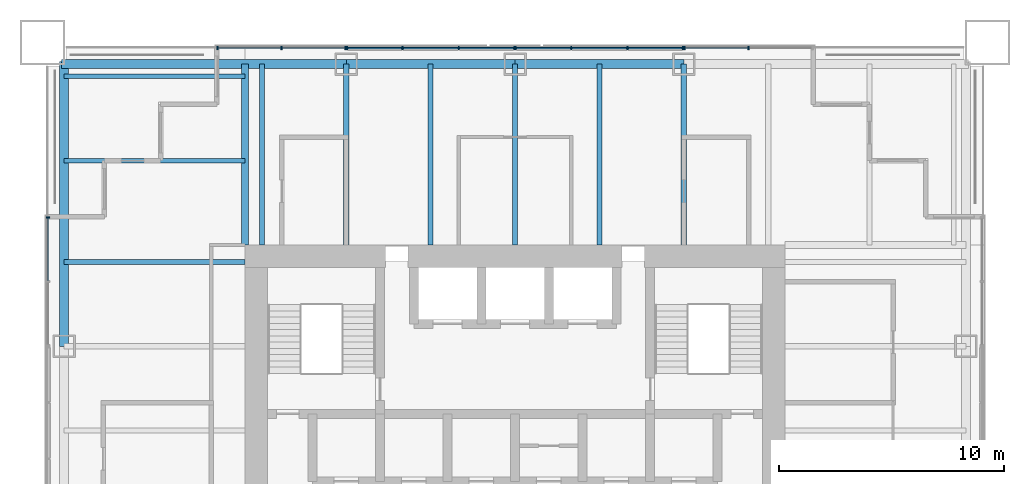
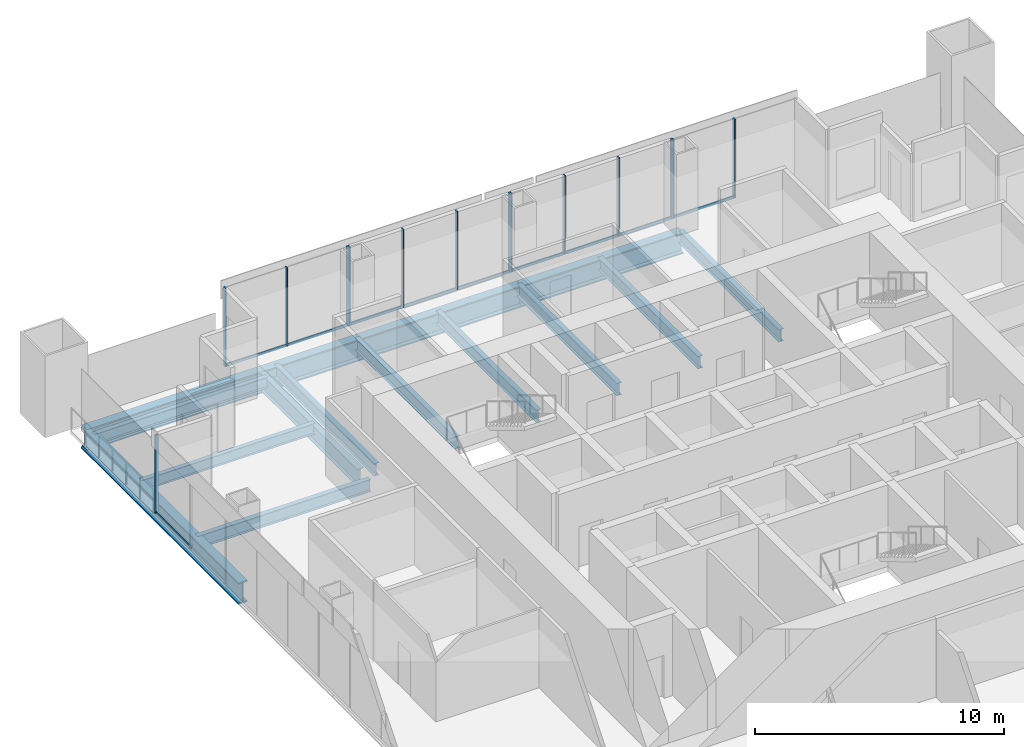
# One storey, part 6 of 14: 24 members, 14 beams, 5 elements without a shape of their own.
"""IFC4 building model written with IfcOpenShell, lengths in metres."""

import ifcopenshell
import ifcopenshell.guid

model = None  # the IFC model being written
_history = None  # IfcOwnerHistory: only IFC2X3 demands one
_inside = {}  # id of a spatial element -> (the spatial element, [elements in it])
_under = {}  # id of a project, library or spatial element -> (it, [spatial elements below it])
_declared = {}  # id of a project -> (the project, [libraries it declares])
_typed = {}  # id of a type object -> (the type object, [elements of that type])
_made_of = {}  # id of a material, layer set ... -> (it, [elements and type objects made of it])


def new_model(schema):
    """Start an empty IFC model of exactly this schema.

    Asked for "IFC4X3", IfcOpenShell would pick the latest addendum, in which some entities
    have other attributes; the version numbers below select the first issue.
    IFC2X3 requires an IfcOwnerHistory on every rooted entity: one is made here for all.
    """
    global model, _history
    if schema == "IFC4X3":
        model = ifcopenshell.file(schema_version=(4, 3, 0, 0))
    else:
        model = ifcopenshell.file(schema=schema)
    _inside.clear()
    _under.clear()
    _declared.clear()
    _typed.clear()
    _made_of.clear()
    _history = None
    if model.schema == "IFC2X3":
        org = make("IfcOrganization", Name="unknown")
        user = make(
            "IfcPersonAndOrganization",
            ThePerson=make("IfcPerson", FamilyName="unknown"),
            TheOrganization=org,
        )
        app = make(
            "IfcApplication",
            ApplicationDeveloper=org,
            Version="unknown",
            ApplicationFullName="unknown",
            ApplicationIdentifier="unknown",
        )
        _history = make(
            "IfcOwnerHistory",
            OwningUser=user,
            OwningApplication=app,
            ChangeAction="ADDED",
            CreationDate=0,
        )
    return model


def make(cls, **values):
    """One entity of the class cls with the attributes given. An attribute that is None is left unset."""
    return model.create_entity(
        cls, **{name: value for name, value in values.items() if value is not None}
    )


def rooted(cls, **values):
    """An entity with a GlobalId (a new one), such as an element, a storey or a relation."""
    return make(cls, GlobalId=ifcopenshell.guid.new(), OwnerHistory=_history, **values)


def si_unit(unit_type, name, prefix=None):
    """IfcSIUnit, for example si_unit("LENGTHUNIT", "METRE", prefix="MILLI")."""
    return make("IfcSIUnit", UnitType=unit_type, Prefix=prefix, Name=name)


def assignment(units):
    """IfcUnitAssignment: the units of a project."""
    return None if units is None else make("IfcUnitAssignment", Units=units)


def point(xyz):
    """IfcCartesianPoint."""
    return None if xyz is None else make("IfcCartesianPoint", Coordinates=xyz)


def direction(xyz):
    """IfcDirection."""
    return None if xyz is None else make("IfcDirection", DirectionRatios=xyz)


def frame(location, z_axis=None, x_axis=None):
    """IfcAxis2Placement3D, a coordinate frame: its origin and axes. An axis left out is left unset."""
    return make(
        "IfcAxis2Placement3D",
        Location=point(location),
        Axis=direction(z_axis),
        RefDirection=direction(x_axis),
    )


def frame_2d(location, x_axis=None):
    """IfcAxis2Placement2D, a coordinate frame in the plane: its origin and x axis."""
    return make(
        "IfcAxis2Placement2D", Location=point(location), RefDirection=direction(x_axis)
    )


def origin():
    """The frame at (0, 0, 0) with its axes left unset."""
    return frame((0.0, 0.0, 0.0))


def origin_2d():
    """The frame at (0, 0) in the plane with its x axis left unset."""
    return frame_2d((0.0, 0.0))


def place(relative_to, where):
    """IfcLocalPlacement: puts the frame where relative to a parent placement (None: the world)."""
    return make(
        "IfcLocalPlacement", PlacementRelTo=relative_to, RelativePlacement=where
    )


def context(
    kind, dimensions, precision=None, world=None, true_north=None, identifier=None
):
    """IfcGeometricRepresentationContext, for example the 3D "Model" context."""
    return make(
        "IfcGeometricRepresentationContext",
        ContextIdentifier=identifier,
        ContextType=kind,
        CoordinateSpaceDimension=dimensions,
        Precision=precision,
        WorldCoordinateSystem=world,
        TrueNorth=true_north,
    )


def subcontext(parent, identifier, kind, view, scale=None):
    """IfcGeometricRepresentationSubContext, for example "Body" below "Model"."""
    return make(
        "IfcGeometricRepresentationSubContext",
        ContextIdentifier=identifier,
        ContextType=kind,
        ParentContext=parent,
        TargetScale=scale,
        TargetView=view,
    )


def project(units=None, contexts=None):
    """IfcProject with its units and contexts."""
    return rooted(
        "IfcProject",
        Name="project",
        RepresentationContexts=contexts,
        UnitsInContext=assignment(units),
    )


def spatial(cls, under=None, at=None, **own):
    """A site, building, storey or space (cls), placed at a placement, below another one or the project."""
    s = rooted(cls, ObjectPlacement=at, **own)
    if under is not None:
        _under.setdefault(under.id(), (under, []))[1].append(s)
    return s


def profile(cls, at=None, kind="AREA", **sizes):
    """A parametric profile (cls). Its sizes go by their IFC names, for example OverallWidth=200.0."""
    return make(cls, ProfileType=kind, Position=at, **sizes)


def rectangle(**sizes):
    """IfcRectangleProfileDef."""
    return profile("IfcRectangleProfileDef", **sizes)


def i_section(**sizes):
    """IfcIShapeProfileDef."""
    return profile("IfcIShapeProfileDef", **sizes)


def extrude(swept, where, along, depth):
    """IfcExtrudedAreaSolid: the profile swept, set in the frame where, extruded along a direction by depth."""
    return make(
        "IfcExtrudedAreaSolid",
        SweptArea=swept,
        Position=where,
        ExtrudedDirection=direction(along),
        Depth=depth,
    )


def shape(context_of_items, identifier, shape_type, items):
    """IfcShapeRepresentation: the items that make up one representation, for example the "Body"."""
    return make(
        "IfcShapeRepresentation",
        ContextOfItems=context_of_items,
        RepresentationIdentifier=identifier,
        RepresentationType=shape_type,
        Items=items,
    )


def material(Name=None, Category=None):
    """IfcMaterial."""
    return make("IfcMaterial", Name=Name, Category=Category)


def material_profile(
    of_material, cross_section, Name=None, Category=None, Priority=None
):
    """IfcMaterialProfile: a cross section and its material."""
    return make(
        "IfcMaterialProfile",
        Name=Name,
        Material=of_material,
        Profile=cross_section,
        Priority=Priority,
        Category=Category,
    )


def profile_set(profiles, Name=None, composite=None):
    """IfcMaterialProfileSet."""
    return make(
        "IfcMaterialProfileSet",
        Name=Name,
        MaterialProfiles=profiles,
        CompositeProfile=composite,
    )


def made_of(thing, what):
    """Note that an element or type object is made of a material, layer set ...; save() writes the relation."""
    if what is not None:
        _made_of.setdefault(what.id(), (what, []))[1].append(thing)
    return thing


def type_object(cls, material=None, **own):
    """A type object (cls), such as IfcWallType, which elements share."""
    return made_of(rooted(cls, **own), material)


def element(
    cls,
    number,
    at=None,
    inside=None,
    cuts=None,
    type_object=None,
    material=None,
    context=None,
    identifier="Body",
    shape_type=None,
    held_by="IfcProductDefinitionShape",
    body=None,
    shapes=None,
    **own,
):
    """One element of the class cls, such as IfcWall. Its Tag is "e" and its number.

    at: its placement. inside: the storey or other place that contains it. cuts: it is an
    opening in that element (IfcRelVoidsElement). A single representation is given by context,
    identifier, shape_type and body (its items); several are given by shapes. held_by: the class
    of the entity that holds the representations. save() writes the other relations.
    """
    e = rooted(cls, Tag="e%d" % number, ObjectPlacement=at, **own)
    if body is not None:
        shapes = [shape(context, identifier, shape_type, body)]
    if shapes is not None:
        e.Representation = make(held_by, Representations=shapes)
    if inside is not None:
        _inside.setdefault(inside.id(), (inside, []))[1].append(e)
    if cuts is not None:
        rooted(
            "IfcRelVoidsElement", RelatingBuildingElement=cuts, RelatedOpeningElement=e
        )
    if type_object is not None:
        _typed.setdefault(type_object.id(), (type_object, []))[1].append(e)
    return made_of(e, material)


def aggregate(whole, parts):
    """IfcRelAggregates: a whole, such as a stair, and the parts it consists of."""
    return rooted("IfcRelAggregates", RelatingObject=whole, RelatedObjects=parts)


def save(model, path):
    """Write the relations noted so far, then the file.

    IfcRelAggregates (storeys below a building ...), IfcRelContainedInSpatialStructure (elements
    in a storey), IfcRelDefinesByType, IfcRelAssociatesMaterial and IfcRelDeclares: one each for
    every whole, place, type object, material and project.
    """
    for whole, parts in _under.values():
        aggregate(whole, parts)
    for where, things in _inside.values():
        rooted(
            "IfcRelContainedInSpatialStructure",
            RelatedElements=things,
            RelatingStructure=where,
        )
    for kind, things in _typed.values():
        rooted("IfcRelDefinesByType", RelatedObjects=things, RelatingType=kind)
    for what, things in _made_of.values():
        rooted("IfcRelAssociatesMaterial", RelatedObjects=things, RelatingMaterial=what)
    for by, libraries in _declared.values():
        rooted("IfcRelDeclares", RelatingContext=by, RelatedDefinitions=libraries)
    model.write(path)


model = new_model("IFC4")

# Units and contexts
model_context = context("Model", 3, precision=1e-05, world=origin(), true_north=direction((0.0, 1.0)))
body_context = subcontext(model_context, "Body", "Model", "MODEL_VIEW")
ifc_project = project(units=[si_unit("LENGTHUNIT", "METRE"), si_unit("AREAUNIT", "SQUARE_METRE"), si_unit("VOLUMEUNIT", "CUBIC_METRE"), si_unit("PLANEANGLEUNIT", "RADIAN"), si_unit("MASSUNIT", "GRAM", prefix="KILO")], contexts=[model_context])

# Site, building, storey
site_placement = place(None, origin())
site = spatial("IfcSite", under=ifc_project, at=site_placement, CompositionType="ELEMENT")
building_placement = place(site_placement, origin())
building = spatial("IfcBuilding", under=site, at=building_placement, Name="Tarangal Relay Tower", CompositionType="ELEMENT")
storey_placement = place(building_placement, frame((0.0, 0.0, 311.89990234375)))
storey = spatial("IfcBuildingStorey", under=building, at=storey_placement, Name="L69", CompositionType="ELEMENT", Elevation=311.89990234375)

# Beams
ifc_material_1 = material(Name="Steel ASTM A992", Category="steel")
ifc_material_profile_1 = material_profile(ifc_material_1, i_section(OverallWidth=0.209228515625, OverallDepth=0.533447265625, WebThickness=0.01025390625, FlangeThickness=0.015625, at=origin_2d()), Name="W21X62")
ifc_profile_set_1 = profile_set([ifc_material_profile_1], Name="Steel ASTM A992")
beam_type_1 = type_object("IfcBeamType", Name="Corner beam W21X62", PredefinedType="JOIST", material=ifc_profile_set_1)
for number, where, z_axis, x_axis, name in (
    (1, (-12.0, 15.75, -0.41650390625), (-1.0, 0.0, 0.0), (0.0, -1.0, 0.0), "Corner beam CB12 W L69"),
    (2, (-12.0, 19.5, -0.41650390625), (-1.0, 0.0, 0.0), (0.0, -1.0, 0.0), "Corner beam CB12 W L69"),
):
    element("IfcBeam", number, at=place(storey_placement, frame(where, z_axis=z_axis, x_axis=x_axis)), inside=storey, type_object=beam_type_1, Name=name, PredefinedType="JOIST", context=body_context, shape_type="SweptSolid", body=[
        extrude(i_section(OverallWidth=0.209228515625, OverallDepth=0.533447265625, WebThickness=0.01025390625, FlangeThickness=0.015625, at=origin_2d()), origin(), (0.0, 0.0, 1.0), 8.0400390625),
    ])
ifc_material_profile_2 = material_profile(ifc_material_1, i_section(OverallWidth=0.2919921875, OverallDepth=0.8408203125, WebThickness=0.0146484375, FlangeThickness=0.021728515625, at=origin_2d()), Name="W33X130")
ifc_profile_set_2 = profile_set([ifc_material_profile_2], Name="Steel ASTM A992")
beam_type_2 = type_object("IfcBeamType", Name="Corner girder W33X130", PredefinedType="BEAM", material=ifc_profile_set_2)
beam_1_placement = place(storey_placement, frame((-12.0, 12.0, -0.5703125), z_axis=(0.0, 1.0, 0.0), x_axis=(-1.0, 0.0, 0.0)))
element("IfcBeam", 3, at=beam_1_placement, inside=storey, type_object=beam_type_2, Name="Corner girder CG5 W L69", PredefinedType="BEAM", context=body_context, shape_type="SweptSolid", body=[
    extrude(i_section(OverallWidth=0.2919921875, OverallDepth=0.8408203125, WebThickness=0.0146484375, FlangeThickness=0.021728515625, at=origin_2d()), origin(), (0.0, 0.0, 1.0), 8.0400390625),
])
ifc_material_profile_3 = material_profile(ifc_material_1, i_section(OverallWidth=0.41162109375, OverallDepth=1.049072265625, WebThickness=0.033935546875, FlangeThickness=0.059814453125, at=origin_2d()), Name="W40X431")
ifc_profile_set_3 = profile_set([ifc_material_profile_3], Name="Steel ASTM A992")
beam_type_3 = type_object("IfcBeamType", Name="Edge girder W40X431", PredefinedType="SPANDREL", material=ifc_profile_set_3)
beam_2_placement = place(storey_placement, frame((-20.14990234375, 20.0400390625, -0.67431640625), z_axis=(1.0, 0.0, 0.0), x_axis=(0.0, 1.0, 0.0)))
element("IfcBeam", 4, at=beam_2_placement, inside=storey, type_object=beam_type_3, Name="Edge girder EG1 N L69", PredefinedType="SPANDREL", context=body_context, shape_type="SweptSolid", body=[
    extrude(i_section(OverallWidth=0.41162109375, OverallDepth=1.049072265625, WebThickness=0.033935546875, FlangeThickness=0.059814453125, at=origin_2d()), origin(), (0.0, 0.0, 1.0), 12.64990234375),
])
for number, where, z_axis, x_axis, name in (
    (5, (-7.5, 20.0400390625, -0.67431640625), (1.0, 0.0, 0.0), (0.0, 1.0, 0.0), "Edge girder EG1 N L69"),
    (6, (0.0, 20.0400390625, -0.67431640625), (1.0, 0.0, 0.0), (0.0, 1.0, 0.0), "Edge girder EG1 N L69"),
):
    element("IfcBeam", number, at=place(storey_placement, frame(where, z_axis=z_axis, x_axis=x_axis)), inside=storey, type_object=beam_type_3, Name=name, PredefinedType="SPANDREL", context=body_context, shape_type="SweptSolid", body=[
        extrude(i_section(OverallWidth=0.41162109375, OverallDepth=1.049072265625, WebThickness=0.033935546875, FlangeThickness=0.059814453125, at=origin_2d()), origin(), (0.0, 0.0, 1.0), 7.5),
    ])
beam_3_placement = place(storey_placement, frame((-20.0400390625, 7.5, -0.67431640625), z_axis=(0.0, 1.0, 0.0), x_axis=(-1.0, 0.0, 0.0)))
element("IfcBeam", 7, at=beam_3_placement, inside=storey, type_object=beam_type_3, Name="Edge girder EG1 W L69", PredefinedType="SPANDREL", context=body_context, shape_type="SweptSolid", body=[
    extrude(i_section(OverallWidth=0.41162109375, OverallDepth=1.049072265625, WebThickness=0.033935546875, FlangeThickness=0.059814453125, at=origin_2d()), origin(), (0.0, 0.0, 1.0), 12.64990234375),
])
ifc_material_profile_4 = material_profile(ifc_material_1, i_section(OverallWidth=0.228271484375, OverallDepth=0.607177734375, WebThickness=0.01123046875, FlangeThickness=0.017333984375, at=origin_2d()), Name="W24X76")
ifc_profile_set_4 = profile_set([ifc_material_profile_4], Name="Steel ASTM A992")
beam_type_4 = type_object("IfcBeamType", Name="Floor beam W24X76", PredefinedType="BEAM", material=ifc_profile_set_4)
for number, where, z_axis, x_axis, name in (
    (8, (-11.25, 12.0, -0.453369140625), (0.0, 1.0, 0.0), (-1.0, 0.0, 0.0), "Floor beam RB5 N L69"),
    (9, (-7.5, 12.0, -0.453369140625), (0.0, 1.0, 0.0), (-1.0, 0.0, 0.0), "Floor beam RB5 N L69"),
    (10, (-3.75, 12.0, -0.453369140625), (0.0, 1.0, 0.0), (-1.0, 0.0, 0.0), "Floor beam RB5 N L69"),
    (11, (0.0, 12.0, -0.453369140625), (0.0, 1.0, 0.0), (-1.0, 0.0, 0.0), "Floor beam RB5 N L69"),
    (12, (3.75, 12.0, -0.453369140625), (0.0, 1.0, 0.0), (-1.0, 0.0, 0.0), "Floor beam RB5 N L69"),
    (13, (7.5, 12.0, -0.453369140625), (0.0, 1.0, 0.0), (-1.0, 0.0, 0.0), "Floor beam RB5 N L69"),
    (14, (-12.0, 11.25, -0.453369140625), (-1.0, 0.0, 0.0), (0.0, -1.0, 0.0), "Floor beam RB5 W L69"),
):
    element("IfcBeam", number, at=place(storey_placement, frame(where, z_axis=z_axis, x_axis=x_axis)), inside=storey, type_object=beam_type_4, Name=name, PredefinedType="BEAM", context=body_context, shape_type="SweptSolid", body=[
        extrude(i_section(OverallWidth=0.228271484375, OverallDepth=0.607177734375, WebThickness=0.01123046875, FlangeThickness=0.017333984375, at=origin_2d()), origin(), (0.0, 0.0, 1.0), 8.0400390625),
    ])

# Curtain wall, members
ifc_material_2 = material(Name="Unitised curtain wall, dark glass and black aluminium", Category="aluminium")
curtain_wall_type_1 = type_object("IfcCurtainWallType", Name="Curtain wall CW-B", PredefinedType="USERDEFINED", material=ifc_material_2)
curtain_wall_1_placement = place(storey_placement, origin())
curtain_wall_1 = element("IfcCurtainWall", 15, at=curtain_wall_1_placement, inside=storey, type_object=curtain_wall_type_1, Name="Curtain wall CW-B N facade L69", ObjectType="UNITISED CURTAIN WALL", PredefinedType="USERDEFINED")
ifc_material_3 = material(Name="Black anodised aluminium mullion", Category="aluminium")
ifc_material_profile_5 = material_profile(ifc_material_3, rectangle(XDim=0.159912109375, YDim=0.06005859375, at=origin_2d()), Name="CW-BM 60X160")
ifc_profile_set_5 = profile_set([ifc_material_profile_5], Name="Black anodised aluminium mullion")
member_type_1 = type_object("IfcMemberType", Name="Mullion CW-B 60 x 160", PredefinedType="MULLION", material=ifc_profile_set_5)
member_1_placement = place(storey_placement, frame((-13.219970703125, 20.75, 0.0), z_axis=(0.0, 0.0, 1.0), x_axis=(0.0, 1.0, 0.0)))
member_1 = element("IfcMember", 16, at=member_1_placement, type_object=member_type_1, Name="CW-B mullion 1", PredefinedType="MULLION", context=body_context, shape_type="SweptSolid", body=[
    extrude(rectangle(XDim=0.159912109375, YDim=0.06005859375, at=origin_2d()), origin(), (0.0, 0.0, 1.0), 3.85009765625),
])
member_2_placement = place(storey_placement, frame((-10.375, 20.75, 0.0), z_axis=(0.0, 0.0, 1.0), x_axis=(0.0, 1.0, 0.0)))
member_2 = element("IfcMember", 17, at=member_2_placement, type_object=member_type_1, Name="CW-B mullion 2", PredefinedType="MULLION", context=body_context, shape_type="SweptSolid", body=[
    extrude(rectangle(XDim=0.159912109375, YDim=0.06005859375, at=origin_2d()), origin(), (0.0, 0.0, 1.0), 3.85009765625),
])
member_3_placement = place(storey_placement, frame((-7.530029296875, 20.75, 0.0), z_axis=(0.0, 0.0, 1.0), x_axis=(0.0, 1.0, 0.0)))
member_3 = element("IfcMember", 18, at=member_3_placement, type_object=member_type_1, Name="CW-B mullion 3", PredefinedType="MULLION", context=body_context, shape_type="SweptSolid", body=[
    extrude(rectangle(XDim=0.159912109375, YDim=0.06005859375, at=origin_2d()), origin(), (0.0, 0.0, 1.0), 3.85009765625),
])

curtain_wall_2_placement = place(storey_placement, origin())
curtain_wall_2 = element("IfcCurtainWall", 19, at=curtain_wall_2_placement, inside=storey, type_object=curtain_wall_type_1, Name="Curtain wall CW-B N facade L69", ObjectType="UNITISED CURTAIN WALL", PredefinedType="USERDEFINED")
member_4_placement = place(storey_placement, frame((7.530029296875, 20.75, 0.0), z_axis=(0.0, 0.0, 1.0), x_axis=(0.0, 1.0, 0.0)))
member_4 = element("IfcMember", 20, at=member_4_placement, type_object=member_type_1, Name="CW-B mullion 1", PredefinedType="MULLION", context=body_context, shape_type="SweptSolid", body=[
    extrude(rectangle(XDim=0.159912109375, YDim=0.06005859375, at=origin_2d()), origin(), (0.0, 0.0, 1.0), 3.85009765625),
])
member_5_placement = place(storey_placement, frame((10.375, 20.75, 0.0), z_axis=(0.0, 0.0, 1.0), x_axis=(0.0, 1.0, 0.0)))
member_5 = element("IfcMember", 21, at=member_5_placement, type_object=member_type_1, Name="CW-B mullion 2", PredefinedType="MULLION", context=body_context, shape_type="SweptSolid", body=[
    extrude(rectangle(XDim=0.159912109375, YDim=0.06005859375, at=origin_2d()), origin(), (0.0, 0.0, 1.0), 3.85009765625),
])

# Curtain wall, member
curtain_wall_3_placement = place(storey_placement, origin())
curtain_wall_3 = element("IfcCurtainWall", 22, at=curtain_wall_3_placement, inside=storey, type_object=curtain_wall_type_1, Name="Curtain wall CW-B W facade L69", ObjectType="UNITISED CURTAIN WALL", PredefinedType="USERDEFINED")
member_6_placement = place(storey_placement, frame((-20.75, 13.219970703125, 0.0), z_axis=(0.0, 0.0, 1.0), x_axis=(-1.0, 0.0, 0.0)))
member_6 = element("IfcMember", 23, at=member_6_placement, type_object=member_type_1, Name="CW-B mullion 3", PredefinedType="MULLION", context=body_context, shape_type="SweptSolid", body=[
    extrude(rectangle(XDim=0.159912109375, YDim=0.06005859375, at=origin_2d()), origin(), (0.0, 0.0, 1.0), 3.85009765625),
])

# Curtain wall, members
ifc_material_4 = material(Name="Unitised curtain wall frame, black aluminium, with metal clad infill walls", Category="aluminium")
curtain_wall_type_2 = type_object("IfcCurtainWallType", Name="Curtain wall CW-BO", PredefinedType="USERDEFINED", material=ifc_material_4)
curtain_wall_4_placement = place(storey_placement, origin())
curtain_wall_4 = element("IfcCurtainWall", 24, at=curtain_wall_4_placement, inside=storey, type_object=curtain_wall_type_2, Name="Curtain wall CW-BO N facade L69", ObjectType="UNITISED CURTAIN WALL", PredefinedType="USERDEFINED")
ifc_material_profile_6 = material_profile(ifc_material_3, rectangle(XDim=0.159912109375, YDim=0.06005859375, at=origin_2d()), Name="CW-BOM 60X160")
ifc_profile_set_6 = profile_set([ifc_material_profile_6], Name="Black anodised aluminium mullion")
member_type_2 = type_object("IfcMemberType", Name="Mullion CW-BO 60 x 160", PredefinedType="MULLION", material=ifc_profile_set_6)
member_7_placement = place(storey_placement, frame((-7.469970703125, 20.75, 0.0), z_axis=(0.0, 0.0, 1.0), x_axis=(0.0, 1.0, 0.0)))
member_7 = element("IfcMember", 25, at=member_7_placement, type_object=member_type_2, Name="CW-BO mullion 1", PredefinedType="MULLION", context=body_context, shape_type="SweptSolid", body=[
    extrude(rectangle(XDim=0.159912109375, YDim=0.06005859375, at=origin_2d()), origin(), (0.0, 0.0, 1.0), 3.85009765625),
])
member_8_placement = place(storey_placement, frame((-5.0, 20.75, 0.0), z_axis=(0.0, 0.0, 1.0), x_axis=(0.0, 1.0, 0.0)))
member_8 = element("IfcMember", 26, at=member_8_placement, type_object=member_type_2, Name="CW-BO mullion 2", PredefinedType="MULLION", context=body_context, shape_type="SweptSolid", body=[
    extrude(rectangle(XDim=0.159912109375, YDim=0.06005859375, at=origin_2d()), origin(), (0.0, 0.0, 1.0), 3.85009765625),
])
member_9_placement = place(storey_placement, frame((-2.5, 20.75, 0.0), z_axis=(0.0, 0.0, 1.0), x_axis=(0.0, 1.0, 0.0)))
member_9 = element("IfcMember", 27, at=member_9_placement, type_object=member_type_2, Name="CW-BO mullion 3", PredefinedType="MULLION", context=body_context, shape_type="SweptSolid", body=[
    extrude(rectangle(XDim=0.159912109375, YDim=0.06005859375, at=origin_2d()), origin(), (0.0, 0.0, 1.0), 3.85009765625),
])
member_10_placement = place(storey_placement, frame((-0.030029296875, 20.75, 0.0), z_axis=(0.0, 0.0, 1.0), x_axis=(0.0, 1.0, 0.0)))
member_10 = element("IfcMember", 28, at=member_10_placement, type_object=member_type_2, Name="CW-BO mullion 4", PredefinedType="MULLION", context=body_context, shape_type="SweptSolid", body=[
    extrude(rectangle(XDim=0.159912109375, YDim=0.06005859375, at=origin_2d()), origin(), (0.0, 0.0, 1.0), 3.85009765625),
])

curtain_wall_5_placement = place(storey_placement, origin())
curtain_wall_5 = element("IfcCurtainWall", 29, at=curtain_wall_5_placement, inside=storey, type_object=curtain_wall_type_2, Name="Curtain wall CW-BO N facade L69", ObjectType="UNITISED CURTAIN WALL", PredefinedType="USERDEFINED")
member_11_placement = place(storey_placement, frame((0.030029296875, 20.75, 0.0), z_axis=(0.0, 0.0, 1.0), x_axis=(0.0, 1.0, 0.0)))
member_11 = element("IfcMember", 30, at=member_11_placement, type_object=member_type_2, Name="CW-BO mullion 1", PredefinedType="MULLION", context=body_context, shape_type="SweptSolid", body=[
    extrude(rectangle(XDim=0.159912109375, YDim=0.06005859375, at=origin_2d()), origin(), (0.0, 0.0, 1.0), 3.85009765625),
])
member_12_placement = place(storey_placement, frame((2.5, 20.75, 0.0), z_axis=(0.0, 0.0, 1.0), x_axis=(0.0, 1.0, 0.0)))
member_12 = element("IfcMember", 31, at=member_12_placement, type_object=member_type_2, Name="CW-BO mullion 2", PredefinedType="MULLION", context=body_context, shape_type="SweptSolid", body=[
    extrude(rectangle(XDim=0.159912109375, YDim=0.06005859375, at=origin_2d()), origin(), (0.0, 0.0, 1.0), 3.85009765625),
])
member_13_placement = place(storey_placement, frame((5.0, 20.75, 0.0), z_axis=(0.0, 0.0, 1.0), x_axis=(0.0, 1.0, 0.0)))
member_13 = element("IfcMember", 32, at=member_13_placement, type_object=member_type_2, Name="CW-BO mullion 3", PredefinedType="MULLION", context=body_context, shape_type="SweptSolid", body=[
    extrude(rectangle(XDim=0.159912109375, YDim=0.06005859375, at=origin_2d()), origin(), (0.0, 0.0, 1.0), 3.85009765625),
])
member_14_placement = place(storey_placement, frame((7.469970703125, 20.75, 0.0), z_axis=(0.0, 0.0, 1.0), x_axis=(0.0, 1.0, 0.0)))
member_14 = element("IfcMember", 33, at=member_14_placement, type_object=member_type_2, Name="CW-BO mullion 4", PredefinedType="MULLION", context=body_context, shape_type="SweptSolid", body=[
    extrude(rectangle(XDim=0.159912109375, YDim=0.06005859375, at=origin_2d()), origin(), (0.0, 0.0, 1.0), 3.85009765625),
])

# Member
ifc_material_5 = material(Name="Black anodised aluminium transom", Category="aluminium")
ifc_material_profile_7 = material_profile(ifc_material_5, rectangle(XDim=0.06005859375, YDim=0.1298828125, at=origin_2d()), Name="CW-BT 60X130")
ifc_profile_set_7 = profile_set([ifc_material_profile_7], Name="Black anodised aluminium transom")
member_type_3 = type_object("IfcMemberType", Name="Transom CW-B 60 x 130", PredefinedType="USERDEFINED", material=ifc_profile_set_7)
member_15_placement = place(storey_placement, frame((-13.18994140625, 20.75, 0.030029296875), z_axis=(1.0, 0.0, 0.0), x_axis=(0.0, 1.0, 0.0)))
member_15 = element("IfcMember", 34, at=member_15_placement, type_object=member_type_3, Name="CW-B transom 1.1", ObjectType="TRANSOM", PredefinedType="USERDEFINED", context=body_context, shape_type="SweptSolid", body=[
    extrude(rectangle(XDim=0.06005859375, YDim=0.1298828125, at=origin_2d()), origin(), (0.0, 0.0, 1.0), 2.784912109375),
])

member_16_placement = place(storey_placement, frame((-10.344970703125, 20.75, 0.030029296875), z_axis=(1.0, 0.0, 0.0), x_axis=(0.0, 1.0, 0.0)))
member_16 = element("IfcMember", 35, at=member_16_placement, type_object=member_type_3, Name="CW-B transom 2.1", ObjectType="TRANSOM", PredefinedType="USERDEFINED", context=body_context, shape_type="SweptSolid", body=[
    extrude(rectangle(XDim=0.06005859375, YDim=0.1298828125, at=origin_2d()), origin(), (0.0, 0.0, 1.0), 2.784912109375),
])

aggregate(curtain_wall_1, [member_1, member_2, member_3, member_15, member_16])

member_17_placement = place(storey_placement, frame((7.56005859375, 20.75, 0.030029296875), z_axis=(1.0, 0.0, 0.0), x_axis=(0.0, 1.0, 0.0)))
member_17 = element("IfcMember", 36, at=member_17_placement, type_object=member_type_3, Name="CW-B transom 1.1", ObjectType="TRANSOM", PredefinedType="USERDEFINED", context=body_context, shape_type="SweptSolid", body=[
    extrude(rectangle(XDim=0.06005859375, YDim=0.1298828125, at=origin_2d()), origin(), (0.0, 0.0, 1.0), 2.784912109375),
])

aggregate(curtain_wall_2, [member_4, member_5, member_17])

member_18_placement = place(storey_placement, frame((-20.75, 10.405029296875, 0.030029296875), z_axis=(0.0, 1.0, 0.0), x_axis=(-1.0, 0.0, 0.0)))
member_18 = element("IfcMember", 37, at=member_18_placement, type_object=member_type_3, Name="CW-B transom 2.1", ObjectType="TRANSOM", PredefinedType="USERDEFINED", context=body_context, shape_type="SweptSolid", body=[
    extrude(rectangle(XDim=0.06005859375, YDim=0.1298828125, at=origin_2d()), origin(), (0.0, 0.0, 1.0), 2.784912109375),
])

aggregate(curtain_wall_3, [member_6, member_18])

ifc_material_profile_8 = material_profile(ifc_material_5, rectangle(XDim=0.06005859375, YDim=0.1298828125, at=origin_2d()), Name="CW-BOT 60X130")
ifc_profile_set_8 = profile_set([ifc_material_profile_8], Name="Black anodised aluminium transom")
member_type_4 = type_object("IfcMemberType", Name="Transom CW-BO 60 x 130", PredefinedType="USERDEFINED", material=ifc_profile_set_8)
member_19_placement = place(storey_placement, frame((-7.43994140625, 20.75, 0.030029296875), z_axis=(1.0, 0.0, 0.0), x_axis=(0.0, 1.0, 0.0)))
member_19 = element("IfcMember", 38, at=member_19_placement, type_object=member_type_4, Name="CW-BO transom 1.1", ObjectType="TRANSOM", PredefinedType="USERDEFINED", context=body_context, shape_type="SweptSolid", body=[
    extrude(rectangle(XDim=0.06005859375, YDim=0.1298828125, at=origin_2d()), origin(), (0.0, 0.0, 1.0), 2.409912109375),
])

member_20_placement = place(storey_placement, frame((-4.969970703125, 20.75, 0.030029296875), z_axis=(1.0, 0.0, 0.0), x_axis=(0.0, 1.0, 0.0)))
member_20 = element("IfcMember", 39, at=member_20_placement, type_object=member_type_4, Name="CW-BO transom 2.1", ObjectType="TRANSOM", PredefinedType="USERDEFINED", context=body_context, shape_type="SweptSolid", body=[
    extrude(rectangle(XDim=0.06005859375, YDim=0.1298828125, at=origin_2d()), origin(), (0.0, 0.0, 1.0), 2.43994140625),
])

member_21_placement = place(storey_placement, frame((-2.469970703125, 20.75, 0.030029296875), z_axis=(1.0, 0.0, 0.0), x_axis=(0.0, 1.0, 0.0)))
member_21 = element("IfcMember", 40, at=member_21_placement, type_object=member_type_4, Name="CW-BO transom 3.1", ObjectType="TRANSOM", PredefinedType="USERDEFINED", context=body_context, shape_type="SweptSolid", body=[
    extrude(rectangle(XDim=0.06005859375, YDim=0.1298828125, at=origin_2d()), origin(), (0.0, 0.0, 1.0), 2.409912109375),
])

aggregate(curtain_wall_4, [member_7, member_8, member_9, member_10, member_19, member_20, member_21])

member_22_placement = place(storey_placement, frame((0.06005859375, 20.75, 0.030029296875), z_axis=(1.0, 0.0, 0.0), x_axis=(0.0, 1.0, 0.0)))
member_22 = element("IfcMember", 41, at=member_22_placement, type_object=member_type_4, Name="CW-BO transom 1.1", ObjectType="TRANSOM", PredefinedType="USERDEFINED", context=body_context, shape_type="SweptSolid", body=[
    extrude(rectangle(XDim=0.06005859375, YDim=0.1298828125, at=origin_2d()), origin(), (0.0, 0.0, 1.0), 2.409912109375),
])

member_23_placement = place(storey_placement, frame((2.530029296875, 20.75, 0.030029296875), z_axis=(1.0, 0.0, 0.0), x_axis=(0.0, 1.0, 0.0)))
member_23 = element("IfcMember", 42, at=member_23_placement, type_object=member_type_4, Name="CW-BO transom 2.1", ObjectType="TRANSOM", PredefinedType="USERDEFINED", context=body_context, shape_type="SweptSolid", body=[
    extrude(rectangle(XDim=0.06005859375, YDim=0.1298828125, at=origin_2d()), origin(), (0.0, 0.0, 1.0), 2.43994140625),
])

member_24_placement = place(storey_placement, frame((5.030029296875, 20.75, 0.030029296875), z_axis=(1.0, 0.0, 0.0), x_axis=(0.0, 1.0, 0.0)))
member_24 = element("IfcMember", 43, at=member_24_placement, type_object=member_type_4, Name="CW-BO transom 3.1", ObjectType="TRANSOM", PredefinedType="USERDEFINED", context=body_context, shape_type="SweptSolid", body=[
    extrude(rectangle(XDim=0.06005859375, YDim=0.1298828125, at=origin_2d()), origin(), (0.0, 0.0, 1.0), 2.409912109375),
])

aggregate(curtain_wall_5, [member_11, member_12, member_13, member_14, member_22, member_23, member_24])

save(model, "model.ifc")
